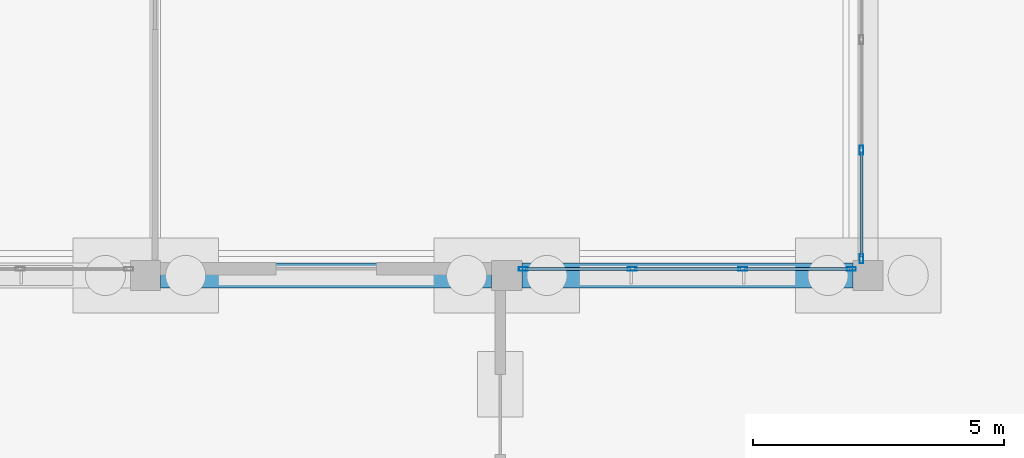
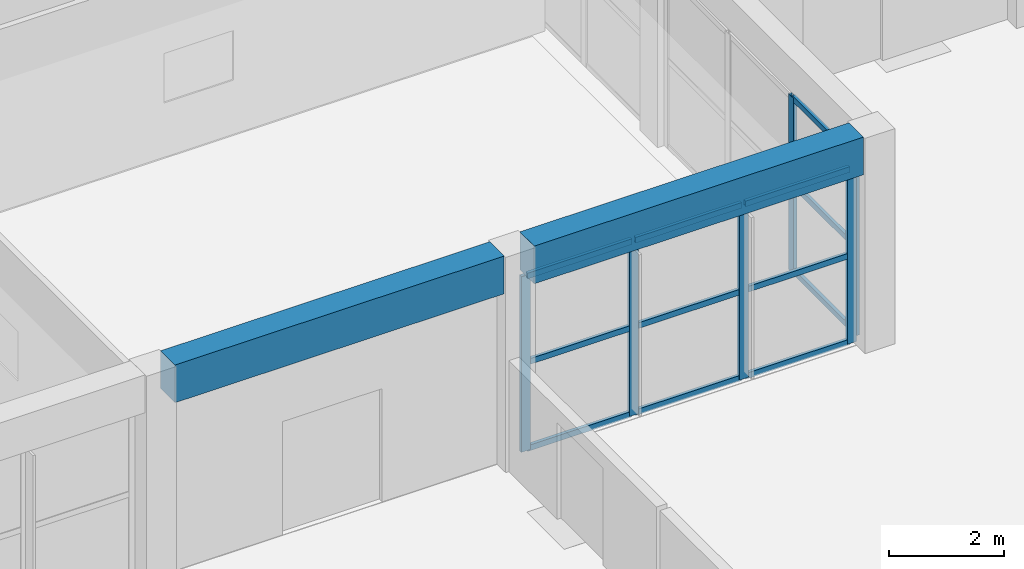
# One storey, part 42 of 155: 18 members, 2 beams, 2 elements without a shape of their own.
"""IFC4 building model written with IfcOpenShell, lengths in metres."""

from ifc_helpers import new_model, si_unit, direction, frame, origin, origin_2d, place, context, subcontext, project, spatial, rectangle, hollow_rectangle, extrude, material, material_profile, profile_set, type_object, element, aggregate, save


model = new_model("IFC4")

# Units and contexts
model_context = context("Model", 3, precision=1e-05, world=origin(), true_north=direction((0.0, 1.0)))
body_context = subcontext(model_context, "Body", "Model", "MODEL_VIEW")
ifc_project = project(units=[si_unit("LENGTHUNIT", "METRE"), si_unit("AREAUNIT", "SQUARE_METRE"), si_unit("VOLUMEUNIT", "CUBIC_METRE"), si_unit("PLANEANGLEUNIT", "RADIAN"), si_unit("MASSUNIT", "GRAM", prefix="KILO")], contexts=[model_context])

# Site, building, storey
site_placement = place(None, origin())
site = spatial("IfcSite", under=ifc_project, at=site_placement, CompositionType="ELEMENT")
building_placement = place(site_placement, origin())
building = spatial("IfcBuilding", under=site, at=building_placement, Name="Bramvelor Terrace Health Centre", CompositionType="ELEMENT")
storey_placement = place(building_placement, origin())
storey = spatial("IfcBuildingStorey", under=building, at=storey_placement, Name="L01", CompositionType="ELEMENT", Elevation=0.0)

# Beams
ifc_material_1 = material(Name="Concrete C40/50", Category="concrete")
ifc_material_profile_1 = material_profile(ifc_material_1, rectangle(XDim=0.5, YDim=0.800048828125, at=origin_2d()), Name="RC 500x800")
ifc_profile_set_1 = profile_set([ifc_material_profile_1], Name="Concrete C40/50")
beam_type = type_object("IfcBeamType", Name="BM-RC-G800", PredefinedType="BEAM", material=ifc_profile_set_1)
for number, where, z_axis, x_axis, name in (
    (1, (79.5, 36.0, 4.159912109375), (1.0, 0.0, 0.0), (0.0, 1.0, 0.0), "L01 Floor Girder"),
    (2, (86.699951171875, 36.0, 4.159912109375), (1.0, 0.0, 0.0), (0.0, 1.0, 0.0), "L01 Floor Girder"),
):
    element("IfcBeam", number, at=place(storey_placement, frame(where, z_axis=z_axis, x_axis=x_axis)), inside=storey, type_object=beam_type, Name=name, PredefinedType="BEAM", context=body_context, shape_type="SweptSolid", body=[
        extrude(rectangle(XDim=0.5, YDim=0.800048828125, at=origin_2d()), origin(), (0.0, 0.0, 1.0), 6.60009765625),
    ])

# Curtain wall, members
ifc_material_2 = material(Name="Anodized aluminium and double low-E glass", Category="aluminium")
curtain_wall_type = type_object("IfcCurtainWallType", Name="CW-SYS-02", PredefinedType="NOTDEFINED", material=ifc_material_2)
curtain_wall_1_placement = place(storey_placement, origin())
curtain_wall_1 = element("IfcCurtainWall", 3, at=curtain_wall_1_placement, inside=storey, type_object=curtain_wall_type, Name="L01 Unitized Curtain Wall 47", PredefinedType="NOTDEFINED")
ifc_material_3 = material(Name="Anodized aluminium 6063-T6", Category="aluminium")
ifc_material_profile_2 = material_profile(ifc_material_3, hollow_rectangle(XDim=0.074951171875, YDim=0.179931640625, WallThickness=0.00341796875, at=origin_2d()), Name="ALU-MUL 75x180x3.5")
ifc_profile_set_2 = profile_set([ifc_material_profile_2], Name="Anodized aluminium 6063-T6")
member_type_1 = type_object("IfcMemberType", Name="CW-MUL-65x180", PredefinedType="MULLION", material=ifc_profile_set_2)
member_1_placement = place(storey_placement, frame((93.469970703125, 38.498291015625, 0.0), z_axis=(0.0, 0.0, 1.0), x_axis=(1.0, 0.0, 0.0)))
member_1 = element("IfcMember", 4, at=member_1_placement, type_object=member_type_1, Name="CW-02 mullion 3", PredefinedType="MULLION", context=body_context, shape_type="SweptSolid", body=[
    extrude(hollow_rectangle(XDim=0.074951171875, YDim=0.179931640625, WallThickness=0.00341796875, at=origin_2d()), origin(), (0.0, 0.0, 1.0), 3.719970703125),
])
member_2_placement = place(storey_placement, frame((93.469970703125, 36.33251953125, 0.0), z_axis=(0.0, 0.0, 1.0), x_axis=(1.0, 0.0, 0.0)))
member_2 = element("IfcMember", 5, at=member_2_placement, type_object=member_type_1, Name="CW-02 mullion 4", PredefinedType="MULLION", context=body_context, shape_type="SweptSolid", body=[
    extrude(hollow_rectangle(XDim=0.074951171875, YDim=0.179931640625, WallThickness=0.00341796875, at=origin_2d()), origin(), (0.0, 0.0, 1.0), 3.719970703125),
])

curtain_wall_2_placement = place(storey_placement, origin())
curtain_wall_2 = element("IfcCurtainWall", 6, at=curtain_wall_2_placement, inside=storey, type_object=curtain_wall_type, Name="L01 Unitized Curtain Wall 48", PredefinedType="NOTDEFINED")
member_3_placement = place(storey_placement, frame((93.267578125, 36.1298828125, 0.0), z_axis=(0.0, 0.0, 1.0), x_axis=(0.0, -1.0, 0.0)))
member_3 = element("IfcMember", 7, at=member_3_placement, type_object=member_type_1, Name="CW-02 mullion 1", PredefinedType="MULLION", context=body_context, shape_type="SweptSolid", body=[
    extrude(hollow_rectangle(XDim=0.074951171875, YDim=0.179931640625, WallThickness=0.00341796875, at=origin_2d()), origin(), (0.0, 0.0, 1.0), 3.719970703125),
])
member_4_placement = place(storey_placement, frame((91.1015625, 36.1298828125, 0.0), z_axis=(0.0, 0.0, 1.0), x_axis=(0.0, -1.0, 0.0)))
member_4 = element("IfcMember", 8, at=member_4_placement, type_object=member_type_1, Name="CW-02 mullion 2", PredefinedType="MULLION", context=body_context, shape_type="SweptSolid", body=[
    extrude(hollow_rectangle(XDim=0.074951171875, YDim=0.179931640625, WallThickness=0.00341796875, at=origin_2d()), origin(), (0.0, 0.0, 1.0), 3.719970703125),
])
member_5_placement = place(storey_placement, frame((88.8984375, 36.1298828125, 0.0), z_axis=(0.0, 0.0, 1.0), x_axis=(0.0, -1.0, 0.0)))
member_5 = element("IfcMember", 9, at=member_5_placement, type_object=member_type_1, Name="CW-02 mullion 3", PredefinedType="MULLION", context=body_context, shape_type="SweptSolid", body=[
    extrude(hollow_rectangle(XDim=0.074951171875, YDim=0.179931640625, WallThickness=0.00341796875, at=origin_2d()), origin(), (0.0, 0.0, 1.0), 3.719970703125),
])
member_6_placement = place(storey_placement, frame((86.732421875, 36.1298828125, 0.0), z_axis=(0.0, 0.0, 1.0), x_axis=(0.0, -1.0, 0.0)))
member_6 = element("IfcMember", 10, at=member_6_placement, type_object=member_type_1, Name="CW-02 mullion 4", PredefinedType="MULLION", context=body_context, shape_type="SweptSolid", body=[
    extrude(hollow_rectangle(XDim=0.074951171875, YDim=0.179931640625, WallThickness=0.00341796875, at=origin_2d()), origin(), (0.0, 0.0, 1.0), 3.719970703125),
])

# Member
ifc_material_4 = material(Name="Anodized aluminium 6063-T6", Category="aluminium")
ifc_material_profile_3 = material_profile(ifc_material_4, hollow_rectangle(XDim=0.06494140625, YDim=0.1201171875, WallThickness=0.0029296875, at=origin_2d()), Name="ALU-TRN 65x120x3.0")
ifc_profile_set_3 = profile_set([ifc_material_profile_3], Name="Anodized aluminium 6063-T6")
member_type_2 = type_object("IfcMemberType", Name="CW-TRN-65x150", PredefinedType="USERDEFINED", material=ifc_profile_set_3)
member_7_placement = place(storey_placement, frame((93.469970703125, 38.4609375, 0.032470703125), z_axis=(0.0, -1.0, 0.0), x_axis=(1.0, 0.0, 0.0)))
member_7 = element("IfcMember", 11, at=member_7_placement, type_object=member_type_2, Name="CW-02 transom 3.1", ObjectType="TRANSOM", PredefinedType="USERDEFINED", context=body_context, shape_type="SweptSolid", body=[
    extrude(hollow_rectangle(XDim=0.06494140625, YDim=0.1201171875, WallThickness=0.0029296875, at=origin_2d()), origin(), (0.0, 0.0, 1.0), 2.0908203125),
])

member_8_placement = place(storey_placement, frame((93.469970703125, 38.4609375, 1.860107421875), z_axis=(0.0, -1.0, 0.0), x_axis=(1.0, 0.0, 0.0)))
member_8 = element("IfcMember", 12, at=member_8_placement, type_object=member_type_2, Name="CW-02 transom 3.2", ObjectType="TRANSOM", PredefinedType="USERDEFINED", context=body_context, shape_type="SweptSolid", body=[
    extrude(hollow_rectangle(XDim=0.06494140625, YDim=0.1201171875, WallThickness=0.0029296875, at=origin_2d()), origin(), (0.0, 0.0, 1.0), 2.0908203125),
])

member_9_placement = place(storey_placement, frame((93.469970703125, 38.4609375, 3.6875), z_axis=(0.0, -1.0, 0.0), x_axis=(1.0, 0.0, 0.0)))
member_9 = element("IfcMember", 13, at=member_9_placement, type_object=member_type_2, Name="CW-02 transom 3.3", ObjectType="TRANSOM", PredefinedType="USERDEFINED", context=body_context, shape_type="SweptSolid", body=[
    extrude(hollow_rectangle(XDim=0.06494140625, YDim=0.1201171875, WallThickness=0.0029296875, at=origin_2d()), origin(), (0.0, 0.0, 1.0), 2.0908203125),
])

aggregate(curtain_wall_1, [member_1, member_2, member_7, member_8, member_9])

member_10_placement = place(storey_placement, frame((93.22998046875, 36.1298828125, 0.032470703125), z_axis=(-1.0, 0.0, 0.0), x_axis=(0.0, -1.0, 0.0)))
member_10 = element("IfcMember", 14, at=member_10_placement, type_object=member_type_2, Name="CW-02 transom 1.1", ObjectType="TRANSOM", PredefinedType="USERDEFINED", context=body_context, shape_type="SweptSolid", body=[
    extrude(hollow_rectangle(XDim=0.06494140625, YDim=0.1201171875, WallThickness=0.0029296875, at=origin_2d()), origin(), (0.0, 0.0, 1.0), 2.0908203125),
])

member_11_placement = place(storey_placement, frame((93.22998046875, 36.1298828125, 1.860107421875), z_axis=(-1.0, 0.0, 0.0), x_axis=(0.0, -1.0, 0.0)))
member_11 = element("IfcMember", 15, at=member_11_placement, type_object=member_type_2, Name="CW-02 transom 1.2", ObjectType="TRANSOM", PredefinedType="USERDEFINED", context=body_context, shape_type="SweptSolid", body=[
    extrude(hollow_rectangle(XDim=0.06494140625, YDim=0.1201171875, WallThickness=0.0029296875, at=origin_2d()), origin(), (0.0, 0.0, 1.0), 2.0908203125),
])

member_12_placement = place(storey_placement, frame((93.22998046875, 36.1298828125, 3.6875), z_axis=(-1.0, 0.0, 0.0), x_axis=(0.0, -1.0, 0.0)))
member_12 = element("IfcMember", 16, at=member_12_placement, type_object=member_type_2, Name="CW-02 transom 1.3", ObjectType="TRANSOM", PredefinedType="USERDEFINED", context=body_context, shape_type="SweptSolid", body=[
    extrude(hollow_rectangle(XDim=0.06494140625, YDim=0.1201171875, WallThickness=0.0029296875, at=origin_2d()), origin(), (0.0, 0.0, 1.0), 2.0908203125),
])

member_13_placement = place(storey_placement, frame((91.064208984375, 36.1298828125, 0.032470703125), z_axis=(-1.0, 0.0, 0.0), x_axis=(0.0, -1.0, 0.0)))
member_13 = element("IfcMember", 17, at=member_13_placement, type_object=member_type_2, Name="CW-02 transom 2.1", ObjectType="TRANSOM", PredefinedType="USERDEFINED", context=body_context, shape_type="SweptSolid", body=[
    extrude(hollow_rectangle(XDim=0.06494140625, YDim=0.1201171875, WallThickness=0.0029296875, at=origin_2d()), origin(), (0.0, 0.0, 1.0), 2.12841796875),
])

member_14_placement = place(storey_placement, frame((91.064208984375, 36.1298828125, 1.860107421875), z_axis=(-1.0, 0.0, 0.0), x_axis=(0.0, -1.0, 0.0)))
member_14 = element("IfcMember", 18, at=member_14_placement, type_object=member_type_2, Name="CW-02 transom 2.2", ObjectType="TRANSOM", PredefinedType="USERDEFINED", context=body_context, shape_type="SweptSolid", body=[
    extrude(hollow_rectangle(XDim=0.06494140625, YDim=0.1201171875, WallThickness=0.0029296875, at=origin_2d()), origin(), (0.0, 0.0, 1.0), 2.12841796875),
])

member_15_placement = place(storey_placement, frame((91.064208984375, 36.1298828125, 3.6875), z_axis=(-1.0, 0.0, 0.0), x_axis=(0.0, -1.0, 0.0)))
member_15 = element("IfcMember", 19, at=member_15_placement, type_object=member_type_2, Name="CW-02 transom 2.3", ObjectType="TRANSOM", PredefinedType="USERDEFINED", context=body_context, shape_type="SweptSolid", body=[
    extrude(hollow_rectangle(XDim=0.06494140625, YDim=0.1201171875, WallThickness=0.0029296875, at=origin_2d()), origin(), (0.0, 0.0, 1.0), 2.12841796875),
])

member_16_placement = place(storey_placement, frame((88.86083984375, 36.1298828125, 0.032470703125), z_axis=(-1.0, 0.0, 0.0), x_axis=(0.0, -1.0, 0.0)))
member_16 = element("IfcMember", 20, at=member_16_placement, type_object=member_type_2, Name="CW-02 transom 3.1", ObjectType="TRANSOM", PredefinedType="USERDEFINED", context=body_context, shape_type="SweptSolid", body=[
    extrude(hollow_rectangle(XDim=0.06494140625, YDim=0.1201171875, WallThickness=0.0029296875, at=origin_2d()), origin(), (0.0, 0.0, 1.0), 2.0908203125),
])

member_17_placement = place(storey_placement, frame((88.86083984375, 36.1298828125, 1.860107421875), z_axis=(-1.0, 0.0, 0.0), x_axis=(0.0, -1.0, 0.0)))
member_17 = element("IfcMember", 21, at=member_17_placement, type_object=member_type_2, Name="CW-02 transom 3.2", ObjectType="TRANSOM", PredefinedType="USERDEFINED", context=body_context, shape_type="SweptSolid", body=[
    extrude(hollow_rectangle(XDim=0.06494140625, YDim=0.1201171875, WallThickness=0.0029296875, at=origin_2d()), origin(), (0.0, 0.0, 1.0), 2.0908203125),
])

member_18_placement = place(storey_placement, frame((88.86083984375, 36.1298828125, 3.6875), z_axis=(-1.0, 0.0, 0.0), x_axis=(0.0, -1.0, 0.0)))
member_18 = element("IfcMember", 22, at=member_18_placement, type_object=member_type_2, Name="CW-02 transom 3.3", ObjectType="TRANSOM", PredefinedType="USERDEFINED", context=body_context, shape_type="SweptSolid", body=[
    extrude(hollow_rectangle(XDim=0.06494140625, YDim=0.1201171875, WallThickness=0.0029296875, at=origin_2d()), origin(), (0.0, 0.0, 1.0), 2.0908203125),
])

aggregate(curtain_wall_2, [member_3, member_4, member_5, member_6, member_10, member_11, member_12, member_13, member_14, member_15, member_16, member_17, member_18])

save(model, "model.ifc")
